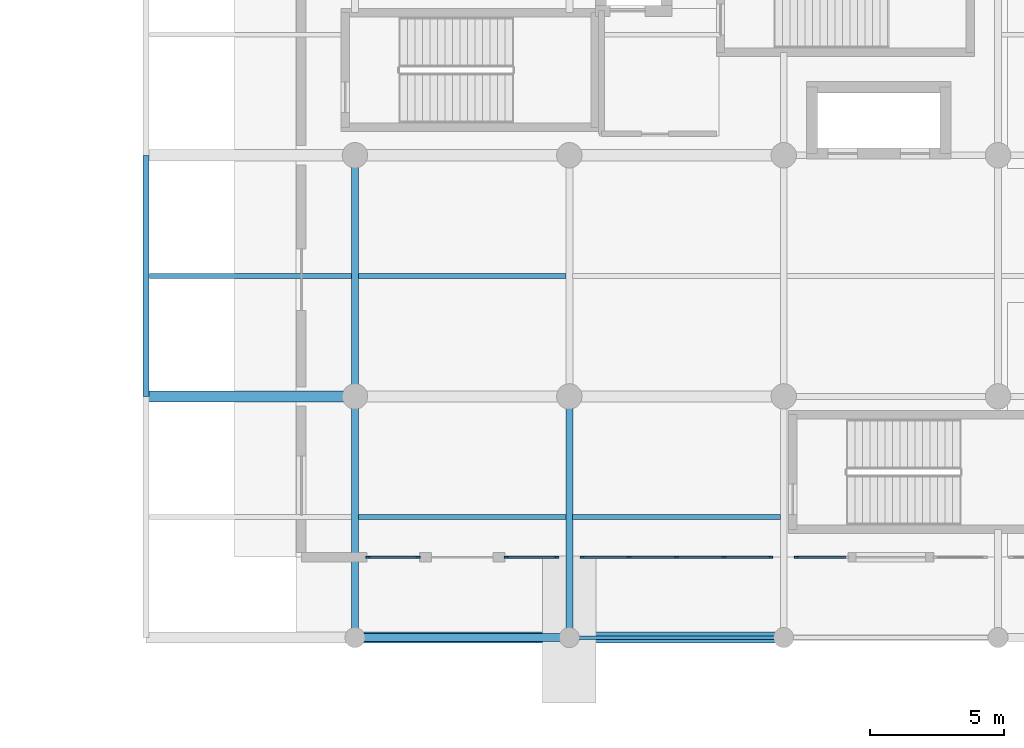
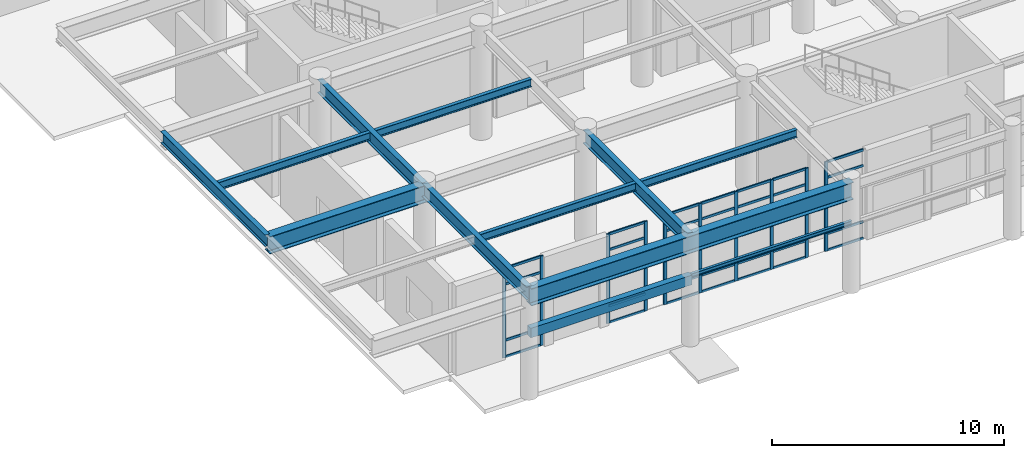
# One storey, part 5 of 49: 38 members, 12 beams, 4 elements without a shape of their own.
"""IFC4 building model written with IfcOpenShell, lengths in metres."""

import ifcopenshell
import ifcopenshell.guid

model = None  # the IFC model being written
_history = None  # IfcOwnerHistory: only IFC2X3 demands one
_inside = {}  # id of a spatial element -> (the spatial element, [elements in it])
_under = {}  # id of a project, library or spatial element -> (it, [spatial elements below it])
_declared = {}  # id of a project -> (the project, [libraries it declares])
_typed = {}  # id of a type object -> (the type object, [elements of that type])
_made_of = {}  # id of a material, layer set ... -> (it, [elements and type objects made of it])


def new_model(schema):
    """Start an empty IFC model of exactly this schema.

    Asked for "IFC4X3", IfcOpenShell would pick the latest addendum, in which some entities
    have other attributes; the version numbers below select the first issue.
    IFC2X3 requires an IfcOwnerHistory on every rooted entity: one is made here for all.
    """
    global model, _history
    if schema == "IFC4X3":
        model = ifcopenshell.file(schema_version=(4, 3, 0, 0))
    else:
        model = ifcopenshell.file(schema=schema)
    _inside.clear()
    _under.clear()
    _declared.clear()
    _typed.clear()
    _made_of.clear()
    _history = None
    if model.schema == "IFC2X3":
        org = make("IfcOrganization", Name="unknown")
        user = make(
            "IfcPersonAndOrganization",
            ThePerson=make("IfcPerson", FamilyName="unknown"),
            TheOrganization=org,
        )
        app = make(
            "IfcApplication",
            ApplicationDeveloper=org,
            Version="unknown",
            ApplicationFullName="unknown",
            ApplicationIdentifier="unknown",
        )
        _history = make(
            "IfcOwnerHistory",
            OwningUser=user,
            OwningApplication=app,
            ChangeAction="ADDED",
            CreationDate=0,
        )
    return model


def make(cls, **values):
    """One entity of the class cls with the attributes given. An attribute that is None is left unset."""
    return model.create_entity(
        cls, **{name: value for name, value in values.items() if value is not None}
    )


def rooted(cls, **values):
    """An entity with a GlobalId (a new one), such as an element, a storey or a relation."""
    return make(cls, GlobalId=ifcopenshell.guid.new(), OwnerHistory=_history, **values)


def si_unit(unit_type, name, prefix=None):
    """IfcSIUnit, for example si_unit("LENGTHUNIT", "METRE", prefix="MILLI")."""
    return make("IfcSIUnit", UnitType=unit_type, Prefix=prefix, Name=name)


def assignment(units):
    """IfcUnitAssignment: the units of a project."""
    return None if units is None else make("IfcUnitAssignment", Units=units)


def point(xyz):
    """IfcCartesianPoint."""
    return None if xyz is None else make("IfcCartesianPoint", Coordinates=xyz)


def direction(xyz):
    """IfcDirection."""
    return None if xyz is None else make("IfcDirection", DirectionRatios=xyz)


def frame(location, z_axis=None, x_axis=None):
    """IfcAxis2Placement3D, a coordinate frame: its origin and axes. An axis left out is left unset."""
    return make(
        "IfcAxis2Placement3D",
        Location=point(location),
        Axis=direction(z_axis),
        RefDirection=direction(x_axis),
    )


def frame_2d(location, x_axis=None):
    """IfcAxis2Placement2D, a coordinate frame in the plane: its origin and x axis."""
    return make(
        "IfcAxis2Placement2D", Location=point(location), RefDirection=direction(x_axis)
    )


def origin():
    """The frame at (0, 0, 0) with its axes left unset."""
    return frame((0.0, 0.0, 0.0))


def origin_2d():
    """The frame at (0, 0) in the plane with its x axis left unset."""
    return frame_2d((0.0, 0.0))


def place(relative_to, where):
    """IfcLocalPlacement: puts the frame where relative to a parent placement (None: the world)."""
    return make(
        "IfcLocalPlacement", PlacementRelTo=relative_to, RelativePlacement=where
    )


def context(
    kind, dimensions, precision=None, world=None, true_north=None, identifier=None
):
    """IfcGeometricRepresentationContext, for example the 3D "Model" context."""
    return make(
        "IfcGeometricRepresentationContext",
        ContextIdentifier=identifier,
        ContextType=kind,
        CoordinateSpaceDimension=dimensions,
        Precision=precision,
        WorldCoordinateSystem=world,
        TrueNorth=true_north,
    )


def subcontext(parent, identifier, kind, view, scale=None):
    """IfcGeometricRepresentationSubContext, for example "Body" below "Model"."""
    return make(
        "IfcGeometricRepresentationSubContext",
        ContextIdentifier=identifier,
        ContextType=kind,
        ParentContext=parent,
        TargetScale=scale,
        TargetView=view,
    )


def project(units=None, contexts=None):
    """IfcProject with its units and contexts."""
    return rooted(
        "IfcProject",
        Name="project",
        RepresentationContexts=contexts,
        UnitsInContext=assignment(units),
    )


def spatial(cls, under=None, at=None, **own):
    """A site, building, storey or space (cls), placed at a placement, below another one or the project."""
    s = rooted(cls, ObjectPlacement=at, **own)
    if under is not None:
        _under.setdefault(under.id(), (under, []))[1].append(s)
    return s


def profile(cls, at=None, kind="AREA", **sizes):
    """A parametric profile (cls). Its sizes go by their IFC names, for example OverallWidth=200.0."""
    return make(cls, ProfileType=kind, Position=at, **sizes)


def rectangle(**sizes):
    """IfcRectangleProfileDef."""
    return profile("IfcRectangleProfileDef", **sizes)


def i_section(**sizes):
    """IfcIShapeProfileDef."""
    return profile("IfcIShapeProfileDef", **sizes)


def extrude(swept, where, along, depth):
    """IfcExtrudedAreaSolid: the profile swept, set in the frame where, extruded along a direction by depth."""
    return make(
        "IfcExtrudedAreaSolid",
        SweptArea=swept,
        Position=where,
        ExtrudedDirection=direction(along),
        Depth=depth,
    )


def shape(context_of_items, identifier, shape_type, items):
    """IfcShapeRepresentation: the items that make up one representation, for example the "Body"."""
    return make(
        "IfcShapeRepresentation",
        ContextOfItems=context_of_items,
        RepresentationIdentifier=identifier,
        RepresentationType=shape_type,
        Items=items,
    )


def material(Name=None, Category=None):
    """IfcMaterial."""
    return make("IfcMaterial", Name=Name, Category=Category)


def layer(
    of_material, thickness, ventilated=None, Name=None, Category=None, Priority=None
):
    """IfcMaterialLayer: one layer of a wall or slab, of a material (None: an air gap)."""
    return make(
        "IfcMaterialLayer",
        Material=of_material,
        LayerThickness=thickness,
        IsVentilated=ventilated,
        Name=Name,
        Category=Category,
        Priority=Priority,
    )


def layer_set(layers, Name=None):
    """IfcMaterialLayerSet."""
    return make("IfcMaterialLayerSet", MaterialLayers=layers, LayerSetName=Name)


def material_profile(
    of_material, cross_section, Name=None, Category=None, Priority=None
):
    """IfcMaterialProfile: a cross section and its material."""
    return make(
        "IfcMaterialProfile",
        Name=Name,
        Material=of_material,
        Profile=cross_section,
        Priority=Priority,
        Category=Category,
    )


def profile_set(profiles, Name=None, composite=None):
    """IfcMaterialProfileSet."""
    return make(
        "IfcMaterialProfileSet",
        Name=Name,
        MaterialProfiles=profiles,
        CompositeProfile=composite,
    )


def made_of(thing, what):
    """Note that an element or type object is made of a material, layer set ...; save() writes the relation."""
    if what is not None:
        _made_of.setdefault(what.id(), (what, []))[1].append(thing)
    return thing


def type_object(cls, material=None, **own):
    """A type object (cls), such as IfcWallType, which elements share."""
    return made_of(rooted(cls, **own), material)


def element(
    cls,
    number,
    at=None,
    inside=None,
    cuts=None,
    type_object=None,
    material=None,
    context=None,
    identifier="Body",
    shape_type=None,
    held_by="IfcProductDefinitionShape",
    body=None,
    shapes=None,
    **own,
):
    """One element of the class cls, such as IfcWall. Its Tag is "e" and its number.

    at: its placement. inside: the storey or other place that contains it. cuts: it is an
    opening in that element (IfcRelVoidsElement). A single representation is given by context,
    identifier, shape_type and body (its items); several are given by shapes. held_by: the class
    of the entity that holds the representations. save() writes the other relations.
    """
    e = rooted(cls, Tag="e%d" % number, ObjectPlacement=at, **own)
    if body is not None:
        shapes = [shape(context, identifier, shape_type, body)]
    if shapes is not None:
        e.Representation = make(held_by, Representations=shapes)
    if inside is not None:
        _inside.setdefault(inside.id(), (inside, []))[1].append(e)
    if cuts is not None:
        rooted(
            "IfcRelVoidsElement", RelatingBuildingElement=cuts, RelatedOpeningElement=e
        )
    if type_object is not None:
        _typed.setdefault(type_object.id(), (type_object, []))[1].append(e)
    return made_of(e, material)


def aggregate(whole, parts):
    """IfcRelAggregates: a whole, such as a stair, and the parts it consists of."""
    return rooted("IfcRelAggregates", RelatingObject=whole, RelatedObjects=parts)


def save(model, path):
    """Write the relations noted so far, then the file.

    IfcRelAggregates (storeys below a building ...), IfcRelContainedInSpatialStructure (elements
    in a storey), IfcRelDefinesByType, IfcRelAssociatesMaterial and IfcRelDeclares: one each for
    every whole, place, type object, material and project.
    """
    for whole, parts in _under.values():
        aggregate(whole, parts)
    for where, things in _inside.values():
        rooted(
            "IfcRelContainedInSpatialStructure",
            RelatedElements=things,
            RelatingStructure=where,
        )
    for kind, things in _typed.values():
        rooted("IfcRelDefinesByType", RelatedObjects=things, RelatingType=kind)
    for what, things in _made_of.values():
        rooted("IfcRelAssociatesMaterial", RelatedObjects=things, RelatingMaterial=what)
    for by, libraries in _declared.values():
        rooted("IfcRelDeclares", RelatingContext=by, RelatedDefinitions=libraries)
    model.write(path)


model = new_model("IFC4")

# Units and contexts
model_context = context("Model", 3, precision=1e-05, world=origin(), true_north=direction((0.0, 1.0)))
body_context = subcontext(model_context, "Body", "Model", "MODEL_VIEW")
ifc_project = project(units=[si_unit("LENGTHUNIT", "METRE"), si_unit("AREAUNIT", "SQUARE_METRE"), si_unit("VOLUMEUNIT", "CUBIC_METRE"), si_unit("PLANEANGLEUNIT", "RADIAN"), si_unit("MASSUNIT", "GRAM", prefix="KILO")], contexts=[model_context])

# Site, building, storey
site_placement = place(None, origin())
site = spatial("IfcSite", under=ifc_project, at=site_placement, CompositionType="ELEMENT")
building_placement = place(site_placement, origin())
building = spatial("IfcBuilding", under=site, at=building_placement, Name="Tlacozan Convention Centre", CompositionType="ELEMENT")
storey_placement = place(building_placement, origin())
storey = spatial("IfcBuildingStorey", under=building, at=storey_placement, Name="L00", CompositionType="ELEMENT", Elevation=0.0)

# Beam
ifc_material_1 = material(Name="Steel ASTM A992 Grade 50", Category="steel")
ifc_material_profile_1 = material_profile(ifc_material_1, i_section(OverallWidth=0.41796875, OverallDepth=0.912109375, WebThickness=0.019287109375, FlangeThickness=0.031982421875, FilletRadius=0.02001953125, at=origin_2d()), Name="IR 914x342.0")
ifc_profile_set_1 = profile_set([ifc_material_profile_1], Name="Steel ASTM A992 Grade 50")
beam_type_1 = type_object("IfcBeamType", Name="Cantilever Girder IR 914x342", PredefinedType="BEAM", material=ifc_profile_set_1)
beam_1_placement = place(storey_placement, frame((8.0, 9.0, 5.263916015625), z_axis=(-1.0, 0.0, 0.0), x_axis=(0.0, -1.0, 0.0)))
element("IfcBeam", 1, at=beam_1_placement, inside=storey, type_object=beam_type_1, Name="L00 Cantilever Girder IR 914x342 179", PredefinedType="BEAM", context=body_context, shape_type="SweptSolid", body=[
    extrude(i_section(OverallWidth=0.41796875, OverallDepth=0.912109375, WebThickness=0.019287109375, FlangeThickness=0.031982421875, FilletRadius=0.02001953125, at=origin_2d()), origin(), (0.0, 0.0, 1.0), 7.800048828125),
])

# Curtain wall, members
ifc_material_2 = material(Name="Dark Bronze Anodised Aluminium", Category="aluminium")
ifc_layer = layer(ifc_material_2, 0.159912109375)
ifc_layer_set = layer_set([ifc_layer], Name="Dark Bronze Anodised Aluminium")
curtain_wall_type = type_object("IfcCurtainWallType", Name="Unitised Concourse Curtain Wall CW01", PredefinedType="NOTDEFINED", material=ifc_layer_set)
curtain_wall_1_placement = place(storey_placement, origin())
curtain_wall_1 = element("IfcCurtainWall", 2, at=curtain_wall_1_placement, inside=storey, type_object=curtain_wall_type, Name="L00 CW-01 Run 30", PredefinedType="NOTDEFINED")
ifc_material_profile_2 = material_profile(ifc_material_2, rectangle(XDim=0.06494140625, YDim=0.159912109375, at=origin_2d()), Name="ALU 65x160")
ifc_profile_set_2 = profile_set([ifc_material_profile_2], Name="Dark Bronze Anodised Aluminium")
member_type_1 = type_object("IfcMemberType", Name="Curtain Wall Mullion 65x160", PredefinedType="MULLION", material=ifc_profile_set_2)
member_1_placement = place(storey_placement, frame((8.482421875, 3.0, 0.0), z_axis=(0.0, 0.0, 1.0), x_axis=(0.0, 1.0, 0.0)))
member_1 = element("IfcMember", 3, at=member_1_placement, type_object=member_type_1, Name="CW-01 mullion 1", PredefinedType="MULLION", context=body_context, shape_type="SweptSolid", body=[
    extrude(rectangle(XDim=0.06494140625, YDim=0.159912109375, at=origin_2d()), origin(), (0.0, 0.0, 1.0), 4.699951171875),
])
member_2_placement = place(storey_placement, frame((10.347412109375, 3.0, 0.0), z_axis=(0.0, 0.0, 1.0), x_axis=(0.0, 1.0, 0.0)))
member_2 = element("IfcMember", 4, at=member_2_placement, type_object=member_type_1, Name="CW-01 mullion 2", PredefinedType="MULLION", context=body_context, shape_type="SweptSolid", body=[
    extrude(rectangle(XDim=0.06494140625, YDim=0.159912109375, at=origin_2d()), origin(), (0.0, 0.0, 1.0), 4.699951171875),
])

curtain_wall_2_placement = place(storey_placement, origin())
curtain_wall_2 = element("IfcCurtainWall", 5, at=curtain_wall_2_placement, inside=storey, type_object=curtain_wall_type, Name="L00 CW-01 Run 31", PredefinedType="NOTDEFINED")
member_3_placement = place(storey_placement, frame((13.652587890625, 3.0, 0.0), z_axis=(0.0, 0.0, 1.0), x_axis=(0.0, 1.0, 0.0)))
member_3 = element("IfcMember", 6, at=member_3_placement, type_object=member_type_1, Name="CW-01 mullion 1", PredefinedType="MULLION", context=body_context, shape_type="SweptSolid", body=[
    extrude(rectangle(XDim=0.06494140625, YDim=0.159912109375, at=origin_2d()), origin(), (0.0, 0.0, 1.0), 4.699951171875),
])
member_4_placement = place(storey_placement, frame((15.517578125, 3.0, 0.0), z_axis=(0.0, 0.0, 1.0), x_axis=(0.0, 1.0, 0.0)))
member_4 = element("IfcMember", 7, at=member_4_placement, type_object=member_type_1, Name="CW-01 mullion 2", PredefinedType="MULLION", context=body_context, shape_type="SweptSolid", body=[
    extrude(rectangle(XDim=0.06494140625, YDim=0.159912109375, at=origin_2d()), origin(), (0.0, 0.0, 1.0), 4.699951171875),
])

curtain_wall_3_placement = place(storey_placement, origin())
curtain_wall_3 = element("IfcCurtainWall", 8, at=curtain_wall_3_placement, inside=storey, type_object=curtain_wall_type, Name="L00 CW-01 Run 32", PredefinedType="NOTDEFINED")
member_5_placement = place(storey_placement, frame((16.482421875, 3.0, 0.0), z_axis=(0.0, 0.0, 1.0), x_axis=(0.0, 1.0, 0.0)))
member_5 = element("IfcMember", 9, at=member_5_placement, type_object=member_type_1, Name="CW-01 mullion 1", PredefinedType="MULLION", context=body_context, shape_type="SweptSolid", body=[
    extrude(rectangle(XDim=0.06494140625, YDim=0.159912109375, at=origin_2d()), origin(), (0.0, 0.0, 1.0), 4.699951171875),
])
member_6_placement = place(storey_placement, frame((18.22509765625, 3.0, 0.0), z_axis=(0.0, 0.0, 1.0), x_axis=(0.0, 1.0, 0.0)))
member_6 = element("IfcMember", 10, at=member_6_placement, type_object=member_type_1, Name="CW-01 mullion 2", PredefinedType="MULLION", context=body_context, shape_type="SweptSolid", body=[
    extrude(rectangle(XDim=0.06494140625, YDim=0.159912109375, at=origin_2d()), origin(), (0.0, 0.0, 1.0), 4.699951171875),
])
member_7_placement = place(storey_placement, frame((20.0, 3.0, 0.0), z_axis=(0.0, 0.0, 1.0), x_axis=(0.0, 1.0, 0.0)))
member_7 = element("IfcMember", 11, at=member_7_placement, type_object=member_type_1, Name="CW-01 mullion 3", PredefinedType="MULLION", context=body_context, shape_type="SweptSolid", body=[
    extrude(rectangle(XDim=0.06494140625, YDim=0.159912109375, at=origin_2d()), origin(), (0.0, 0.0, 1.0), 4.699951171875),
])
member_8_placement = place(storey_placement, frame((21.77490234375, 3.0, 0.0), z_axis=(0.0, 0.0, 1.0), x_axis=(0.0, 1.0, 0.0)))
member_8 = element("IfcMember", 12, at=member_8_placement, type_object=member_type_1, Name="CW-01 mullion 4", PredefinedType="MULLION", context=body_context, shape_type="SweptSolid", body=[
    extrude(rectangle(XDim=0.06494140625, YDim=0.159912109375, at=origin_2d()), origin(), (0.0, 0.0, 1.0), 4.699951171875),
])
member_9_placement = place(storey_placement, frame((23.517578125, 3.0, 0.0), z_axis=(0.0, 0.0, 1.0), x_axis=(0.0, 1.0, 0.0)))
member_9 = element("IfcMember", 13, at=member_9_placement, type_object=member_type_1, Name="CW-01 mullion 5", PredefinedType="MULLION", context=body_context, shape_type="SweptSolid", body=[
    extrude(rectangle(XDim=0.06494140625, YDim=0.159912109375, at=origin_2d()), origin(), (0.0, 0.0, 1.0), 4.699951171875),
])

# Curtain wall, member
curtain_wall_4_placement = place(storey_placement, origin())
curtain_wall_4 = element("IfcCurtainWall", 14, at=curtain_wall_4_placement, inside=storey, type_object=curtain_wall_type, Name="L00 CW-01 Run 33", PredefinedType="NOTDEFINED")
member_10_placement = place(storey_placement, frame((24.482421875, 3.0, 0.0), z_axis=(0.0, 0.0, 1.0), x_axis=(0.0, 1.0, 0.0)))
member_10 = element("IfcMember", 15, at=member_10_placement, type_object=member_type_1, Name="CW-01 mullion 1", PredefinedType="MULLION", context=body_context, shape_type="SweptSolid", body=[
    extrude(rectangle(XDim=0.06494140625, YDim=0.159912109375, at=origin_2d()), origin(), (0.0, 0.0, 1.0), 4.699951171875),
])

# Member
ifc_material_profile_3 = material_profile(ifc_material_2, rectangle(XDim=0.06494140625, YDim=0.125, at=origin_2d()), Name="ALU 65x125")
ifc_profile_set_3 = profile_set([ifc_material_profile_3], Name="Dark Bronze Anodised Aluminium")
member_type_2 = type_object("IfcMemberType", Name="Curtain Wall Transom 65x125", PredefinedType="USERDEFINED", material=ifc_profile_set_3)
member_11_placement = place(storey_placement, frame((8.514892578125, 3.0, 0.032470703125), z_axis=(1.0, 0.0, 0.0), x_axis=(0.0, 1.0, 0.0)))
member_11 = element("IfcMember", 16, at=member_11_placement, type_object=member_type_2, Name="CW-01 transom 1.1", ObjectType="TRANSOM", PredefinedType="USERDEFINED", context=body_context, shape_type="SweptSolid", body=[
    extrude(rectangle(XDim=0.06494140625, YDim=0.125, at=origin_2d()), origin(), (0.0, 0.0, 1.0), 1.800048828125),
])

member_12_placement = place(storey_placement, frame((8.514892578125, 3.0, 0.89990234375), z_axis=(1.0, 0.0, 0.0), x_axis=(0.0, 1.0, 0.0)))
member_12 = element("IfcMember", 17, at=member_12_placement, type_object=member_type_2, Name="CW-01 transom 1.2", ObjectType="TRANSOM", PredefinedType="USERDEFINED", context=body_context, shape_type="SweptSolid", body=[
    extrude(rectangle(XDim=0.06494140625, YDim=0.125, at=origin_2d()), origin(), (0.0, 0.0, 1.0), 1.800048828125),
])

member_13_placement = place(storey_placement, frame((8.514892578125, 3.0, 3.85009765625), z_axis=(1.0, 0.0, 0.0), x_axis=(0.0, 1.0, 0.0)))
member_13 = element("IfcMember", 18, at=member_13_placement, type_object=member_type_2, Name="CW-01 transom 1.3", ObjectType="TRANSOM", PredefinedType="USERDEFINED", context=body_context, shape_type="SweptSolid", body=[
    extrude(rectangle(XDim=0.06494140625, YDim=0.125, at=origin_2d()), origin(), (0.0, 0.0, 1.0), 1.800048828125),
])

member_14_placement = place(storey_placement, frame((8.514892578125, 3.0, 4.66748046875), z_axis=(1.0, 0.0, 0.0), x_axis=(0.0, 1.0, 0.0)))
member_14 = element("IfcMember", 19, at=member_14_placement, type_object=member_type_2, Name="CW-01 transom 1.4", ObjectType="TRANSOM", PredefinedType="USERDEFINED", context=body_context, shape_type="SweptSolid", body=[
    extrude(rectangle(XDim=0.06494140625, YDim=0.125, at=origin_2d()), origin(), (0.0, 0.0, 1.0), 1.800048828125),
])

aggregate(curtain_wall_1, [member_1, member_2, member_11, member_12, member_13, member_14])

member_15_placement = place(storey_placement, frame((13.68505859375, 3.0, 0.032470703125), z_axis=(1.0, 0.0, 0.0), x_axis=(0.0, 1.0, 0.0)))
member_15 = element("IfcMember", 20, at=member_15_placement, type_object=member_type_2, Name="CW-01 transom 1.1", ObjectType="TRANSOM", PredefinedType="USERDEFINED", context=body_context, shape_type="SweptSolid", body=[
    extrude(rectangle(XDim=0.06494140625, YDim=0.125, at=origin_2d()), origin(), (0.0, 0.0, 1.0), 1.800048828125),
])

member_16_placement = place(storey_placement, frame((13.68505859375, 3.0, 0.89990234375), z_axis=(1.0, 0.0, 0.0), x_axis=(0.0, 1.0, 0.0)))
member_16 = element("IfcMember", 21, at=member_16_placement, type_object=member_type_2, Name="CW-01 transom 1.2", ObjectType="TRANSOM", PredefinedType="USERDEFINED", context=body_context, shape_type="SweptSolid", body=[
    extrude(rectangle(XDim=0.06494140625, YDim=0.125, at=origin_2d()), origin(), (0.0, 0.0, 1.0), 1.800048828125),
])

member_17_placement = place(storey_placement, frame((13.68505859375, 3.0, 3.85009765625), z_axis=(1.0, 0.0, 0.0), x_axis=(0.0, 1.0, 0.0)))
member_17 = element("IfcMember", 22, at=member_17_placement, type_object=member_type_2, Name="CW-01 transom 1.3", ObjectType="TRANSOM", PredefinedType="USERDEFINED", context=body_context, shape_type="SweptSolid", body=[
    extrude(rectangle(XDim=0.06494140625, YDim=0.125, at=origin_2d()), origin(), (0.0, 0.0, 1.0), 1.800048828125),
])

member_18_placement = place(storey_placement, frame((13.68505859375, 3.0, 4.66748046875), z_axis=(1.0, 0.0, 0.0), x_axis=(0.0, 1.0, 0.0)))
member_18 = element("IfcMember", 23, at=member_18_placement, type_object=member_type_2, Name="CW-01 transom 1.4", ObjectType="TRANSOM", PredefinedType="USERDEFINED", context=body_context, shape_type="SweptSolid", body=[
    extrude(rectangle(XDim=0.06494140625, YDim=0.125, at=origin_2d()), origin(), (0.0, 0.0, 1.0), 1.800048828125),
])

aggregate(curtain_wall_2, [member_3, member_4, member_15, member_16, member_17, member_18])

member_19_placement = place(storey_placement, frame((16.514892578125, 3.0, 0.032470703125), z_axis=(1.0, 0.0, 0.0), x_axis=(0.0, 1.0, 0.0)))
member_19 = element("IfcMember", 24, at=member_19_placement, type_object=member_type_2, Name="CW-01 transom 1.1", ObjectType="TRANSOM", PredefinedType="USERDEFINED", context=body_context, shape_type="SweptSolid", body=[
    extrude(rectangle(XDim=0.06494140625, YDim=0.125, at=origin_2d()), origin(), (0.0, 0.0, 1.0), 1.677490234375),
])

member_20_placement = place(storey_placement, frame((16.514892578125, 3.0, 0.89990234375), z_axis=(1.0, 0.0, 0.0), x_axis=(0.0, 1.0, 0.0)))
member_20 = element("IfcMember", 25, at=member_20_placement, type_object=member_type_2, Name="CW-01 transom 1.2", ObjectType="TRANSOM", PredefinedType="USERDEFINED", context=body_context, shape_type="SweptSolid", body=[
    extrude(rectangle(XDim=0.06494140625, YDim=0.125, at=origin_2d()), origin(), (0.0, 0.0, 1.0), 1.677490234375),
])

member_21_placement = place(storey_placement, frame((16.514892578125, 3.0, 3.85009765625), z_axis=(1.0, 0.0, 0.0), x_axis=(0.0, 1.0, 0.0)))
member_21 = element("IfcMember", 26, at=member_21_placement, type_object=member_type_2, Name="CW-01 transom 1.3", ObjectType="TRANSOM", PredefinedType="USERDEFINED", context=body_context, shape_type="SweptSolid", body=[
    extrude(rectangle(XDim=0.06494140625, YDim=0.125, at=origin_2d()), origin(), (0.0, 0.0, 1.0), 1.677490234375),
])

member_22_placement = place(storey_placement, frame((16.514892578125, 3.0, 4.66748046875), z_axis=(1.0, 0.0, 0.0), x_axis=(0.0, 1.0, 0.0)))
member_22 = element("IfcMember", 27, at=member_22_placement, type_object=member_type_2, Name="CW-01 transom 1.4", ObjectType="TRANSOM", PredefinedType="USERDEFINED", context=body_context, shape_type="SweptSolid", body=[
    extrude(rectangle(XDim=0.06494140625, YDim=0.125, at=origin_2d()), origin(), (0.0, 0.0, 1.0), 1.677490234375),
])

member_23_placement = place(storey_placement, frame((18.257568359375, 3.0, 0.032470703125), z_axis=(1.0, 0.0, 0.0), x_axis=(0.0, 1.0, 0.0)))
member_23 = element("IfcMember", 28, at=member_23_placement, type_object=member_type_2, Name="CW-01 transom 2.1", ObjectType="TRANSOM", PredefinedType="USERDEFINED", context=body_context, shape_type="SweptSolid", body=[
    extrude(rectangle(XDim=0.06494140625, YDim=0.125, at=origin_2d()), origin(), (0.0, 0.0, 1.0), 1.7099609375),
])

member_24_placement = place(storey_placement, frame((18.257568359375, 3.0, 0.89990234375), z_axis=(1.0, 0.0, 0.0), x_axis=(0.0, 1.0, 0.0)))
member_24 = element("IfcMember", 29, at=member_24_placement, type_object=member_type_2, Name="CW-01 transom 2.2", ObjectType="TRANSOM", PredefinedType="USERDEFINED", context=body_context, shape_type="SweptSolid", body=[
    extrude(rectangle(XDim=0.06494140625, YDim=0.125, at=origin_2d()), origin(), (0.0, 0.0, 1.0), 1.7099609375),
])

member_25_placement = place(storey_placement, frame((18.257568359375, 3.0, 3.85009765625), z_axis=(1.0, 0.0, 0.0), x_axis=(0.0, 1.0, 0.0)))
member_25 = element("IfcMember", 30, at=member_25_placement, type_object=member_type_2, Name="CW-01 transom 2.3", ObjectType="TRANSOM", PredefinedType="USERDEFINED", context=body_context, shape_type="SweptSolid", body=[
    extrude(rectangle(XDim=0.06494140625, YDim=0.125, at=origin_2d()), origin(), (0.0, 0.0, 1.0), 1.7099609375),
])

member_26_placement = place(storey_placement, frame((18.257568359375, 3.0, 4.66748046875), z_axis=(1.0, 0.0, 0.0), x_axis=(0.0, 1.0, 0.0)))
member_26 = element("IfcMember", 31, at=member_26_placement, type_object=member_type_2, Name="CW-01 transom 2.4", ObjectType="TRANSOM", PredefinedType="USERDEFINED", context=body_context, shape_type="SweptSolid", body=[
    extrude(rectangle(XDim=0.06494140625, YDim=0.125, at=origin_2d()), origin(), (0.0, 0.0, 1.0), 1.7099609375),
])

member_27_placement = place(storey_placement, frame((20.032470703125, 3.0, 0.032470703125), z_axis=(1.0, 0.0, 0.0), x_axis=(0.0, 1.0, 0.0)))
member_27 = element("IfcMember", 32, at=member_27_placement, type_object=member_type_2, Name="CW-01 transom 3.1", ObjectType="TRANSOM", PredefinedType="USERDEFINED", context=body_context, shape_type="SweptSolid", body=[
    extrude(rectangle(XDim=0.06494140625, YDim=0.125, at=origin_2d()), origin(), (0.0, 0.0, 1.0), 1.7099609375),
])

member_28_placement = place(storey_placement, frame((20.032470703125, 3.0, 0.89990234375), z_axis=(1.0, 0.0, 0.0), x_axis=(0.0, 1.0, 0.0)))
member_28 = element("IfcMember", 33, at=member_28_placement, type_object=member_type_2, Name="CW-01 transom 3.2", ObjectType="TRANSOM", PredefinedType="USERDEFINED", context=body_context, shape_type="SweptSolid", body=[
    extrude(rectangle(XDim=0.06494140625, YDim=0.125, at=origin_2d()), origin(), (0.0, 0.0, 1.0), 1.7099609375),
])

member_29_placement = place(storey_placement, frame((20.032470703125, 3.0, 3.85009765625), z_axis=(1.0, 0.0, 0.0), x_axis=(0.0, 1.0, 0.0)))
member_29 = element("IfcMember", 34, at=member_29_placement, type_object=member_type_2, Name="CW-01 transom 3.3", ObjectType="TRANSOM", PredefinedType="USERDEFINED", context=body_context, shape_type="SweptSolid", body=[
    extrude(rectangle(XDim=0.06494140625, YDim=0.125, at=origin_2d()), origin(), (0.0, 0.0, 1.0), 1.7099609375),
])

member_30_placement = place(storey_placement, frame((20.032470703125, 3.0, 4.66748046875), z_axis=(1.0, 0.0, 0.0), x_axis=(0.0, 1.0, 0.0)))
member_30 = element("IfcMember", 35, at=member_30_placement, type_object=member_type_2, Name="CW-01 transom 3.4", ObjectType="TRANSOM", PredefinedType="USERDEFINED", context=body_context, shape_type="SweptSolid", body=[
    extrude(rectangle(XDim=0.06494140625, YDim=0.125, at=origin_2d()), origin(), (0.0, 0.0, 1.0), 1.7099609375),
])

member_31_placement = place(storey_placement, frame((21.8076171875, 3.0, 0.032470703125), z_axis=(1.0, 0.0, 0.0), x_axis=(0.0, 1.0, 0.0)))
member_31 = element("IfcMember", 36, at=member_31_placement, type_object=member_type_2, Name="CW-01 transom 4.1", ObjectType="TRANSOM", PredefinedType="USERDEFINED", context=body_context, shape_type="SweptSolid", body=[
    extrude(rectangle(XDim=0.06494140625, YDim=0.125, at=origin_2d()), origin(), (0.0, 0.0, 1.0), 1.677490234375),
])

member_32_placement = place(storey_placement, frame((21.8076171875, 3.0, 0.89990234375), z_axis=(1.0, 0.0, 0.0), x_axis=(0.0, 1.0, 0.0)))
member_32 = element("IfcMember", 37, at=member_32_placement, type_object=member_type_2, Name="CW-01 transom 4.2", ObjectType="TRANSOM", PredefinedType="USERDEFINED", context=body_context, shape_type="SweptSolid", body=[
    extrude(rectangle(XDim=0.06494140625, YDim=0.125, at=origin_2d()), origin(), (0.0, 0.0, 1.0), 1.677490234375),
])

member_33_placement = place(storey_placement, frame((21.8076171875, 3.0, 3.85009765625), z_axis=(1.0, 0.0, 0.0), x_axis=(0.0, 1.0, 0.0)))
member_33 = element("IfcMember", 38, at=member_33_placement, type_object=member_type_2, Name="CW-01 transom 4.3", ObjectType="TRANSOM", PredefinedType="USERDEFINED", context=body_context, shape_type="SweptSolid", body=[
    extrude(rectangle(XDim=0.06494140625, YDim=0.125, at=origin_2d()), origin(), (0.0, 0.0, 1.0), 1.677490234375),
])

member_34_placement = place(storey_placement, frame((21.8076171875, 3.0, 4.66748046875), z_axis=(1.0, 0.0, 0.0), x_axis=(0.0, 1.0, 0.0)))
member_34 = element("IfcMember", 39, at=member_34_placement, type_object=member_type_2, Name="CW-01 transom 4.4", ObjectType="TRANSOM", PredefinedType="USERDEFINED", context=body_context, shape_type="SweptSolid", body=[
    extrude(rectangle(XDim=0.06494140625, YDim=0.125, at=origin_2d()), origin(), (0.0, 0.0, 1.0), 1.677490234375),
])

aggregate(curtain_wall_3, [member_5, member_6, member_7, member_8, member_9, member_19, member_20, member_21, member_22, member_23, member_24, member_25, member_26, member_27, member_28, member_29, member_30, member_31, member_32, member_33, member_34])

member_35_placement = place(storey_placement, frame((24.514892578125, 3.0, 0.032470703125), z_axis=(1.0, 0.0, 0.0), x_axis=(0.0, 1.0, 0.0)))
member_35 = element("IfcMember", 40, at=member_35_placement, type_object=member_type_2, Name="CW-01 transom 1.1", ObjectType="TRANSOM", PredefinedType="USERDEFINED", context=body_context, shape_type="SweptSolid", body=[
    extrude(rectangle(XDim=0.06494140625, YDim=0.125, at=origin_2d()), origin(), (0.0, 0.0, 1.0), 1.800048828125),
])

member_36_placement = place(storey_placement, frame((24.514892578125, 3.0, 0.89990234375), z_axis=(1.0, 0.0, 0.0), x_axis=(0.0, 1.0, 0.0)))
member_36 = element("IfcMember", 41, at=member_36_placement, type_object=member_type_2, Name="CW-01 transom 1.2", ObjectType="TRANSOM", PredefinedType="USERDEFINED", context=body_context, shape_type="SweptSolid", body=[
    extrude(rectangle(XDim=0.06494140625, YDim=0.125, at=origin_2d()), origin(), (0.0, 0.0, 1.0), 1.800048828125),
])

member_37_placement = place(storey_placement, frame((24.514892578125, 3.0, 3.85009765625), z_axis=(1.0, 0.0, 0.0), x_axis=(0.0, 1.0, 0.0)))
member_37 = element("IfcMember", 42, at=member_37_placement, type_object=member_type_2, Name="CW-01 transom 1.3", ObjectType="TRANSOM", PredefinedType="USERDEFINED", context=body_context, shape_type="SweptSolid", body=[
    extrude(rectangle(XDim=0.06494140625, YDim=0.125, at=origin_2d()), origin(), (0.0, 0.0, 1.0), 1.800048828125),
])

member_38_placement = place(storey_placement, frame((24.514892578125, 3.0, 4.66748046875), z_axis=(1.0, 0.0, 0.0), x_axis=(0.0, 1.0, 0.0)))
member_38 = element("IfcMember", 43, at=member_38_placement, type_object=member_type_2, Name="CW-01 transom 1.4", ObjectType="TRANSOM", PredefinedType="USERDEFINED", context=body_context, shape_type="SweptSolid", body=[
    extrude(rectangle(XDim=0.06494140625, YDim=0.125, at=origin_2d()), origin(), (0.0, 0.0, 1.0), 1.800048828125),
])

aggregate(curtain_wall_4, [member_10, member_35, member_36, member_37, member_38])

# Beams
ifc_material_profile_4 = material_profile(ifc_material_1, i_section(OverallWidth=0.256103515625, OverallDepth=0.693115234375, WebThickness=0.014404296875, FlangeThickness=0.023681640625, FilletRadius=0.014892578125, at=origin_2d()), Name="IR 686x170.0")
ifc_profile_set_4 = profile_set([ifc_material_profile_4], Name="Steel ASTM A992 Grade 50")
beam_type_2 = type_object("IfcBeamType", Name="Girder Steel IR 686x170", PredefinedType="BEAM", material=ifc_profile_set_4)
for number, where, z_axis, x_axis, name in (
    (44, (8.0, 0.0, 5.37353515625), (0.0, 1.0, 0.0), (-1.0, 0.0, 0.0), "L00 Girder Steel IR 686x170 126"),
    (45, (8.0, 9.0, 5.37353515625), (0.0, 1.0, 0.0), (-1.0, 0.0, 0.0), "L00 Girder Steel IR 686x170 127"),
    (46, (16.0, 0.0, 5.37353515625), (0.0, 1.0, 0.0), (-1.0, 0.0, 0.0), "L00 Girder Steel IR 686x170 129"),
):
    element("IfcBeam", number, at=place(storey_placement, frame(where, z_axis=z_axis, x_axis=x_axis)), inside=storey, type_object=beam_type_2, Name=name, PredefinedType="BEAM", context=body_context, shape_type="SweptSolid", body=[
        extrude(i_section(OverallWidth=0.256103515625, OverallDepth=0.693115234375, WebThickness=0.014404296875, FlangeThickness=0.023681640625, FilletRadius=0.014892578125, at=origin_2d()), origin(), (0.0, 0.0, 1.0), 9.0),
    ])
ifc_material_profile_5 = material_profile(ifc_material_1, i_section(OverallWidth=0.134033203125, OverallDepth=0.2099609375, WebThickness=0.00634765625, FlangeThickness=0.01025390625, FilletRadius=0.008056640625, at=origin_2d()), Name="IR 203x31.3")
ifc_profile_set_5 = profile_set([ifc_material_profile_5], Name="Steel ASTM A992 Grade 50")
beam_type_3 = type_object("IfcBeamType", Name="Opening Lintel IR 203x31.3", PredefinedType="LINTEL", material=ifc_profile_set_5)
beam_2_placement = place(storey_placement, frame((16.0, 0.0, 3.4951171875), z_axis=(1.0, 0.0, 0.0), x_axis=(0.0, 1.0, 0.0)))
element("IfcBeam", 47, at=beam_2_placement, inside=storey, type_object=beam_type_3, Name="L00 Opening Lintel IR 203x31.3 1724", PredefinedType="LINTEL", context=body_context, shape_type="SweptSolid", body=[
    extrude(i_section(OverallWidth=0.134033203125, OverallDepth=0.2099609375, WebThickness=0.00634765625, FlangeThickness=0.01025390625, FilletRadius=0.008056640625, at=origin_2d()), origin(), (0.0, 0.0, 1.0), 8.0),
])
ifc_material_3 = material(Name="Concrete C40/50", Category="concrete")
ifc_material_profile_6 = material_profile(ifc_material_3, rectangle(XDim=0.300048828125, YDim=0.5, at=origin_2d()), Name="RC 300x500")
ifc_profile_set_6 = profile_set([ifc_material_profile_6], Name="Concrete C40/50")
beam_type_4 = type_object("IfcBeamType", Name="Opening Lintel RC 300x500", PredefinedType="LINTEL", material=ifc_profile_set_6)
beam_3_placement = place(storey_placement, frame((8.0, 0.0, 3.35009765625), z_axis=(1.0, 0.0, 0.0), x_axis=(0.0, 1.0, 0.0)))
element("IfcBeam", 48, at=beam_3_placement, inside=storey, type_object=beam_type_4, Name="L00 Opening Lintel RC 300x500 1723", PredefinedType="LINTEL", context=body_context, shape_type="SweptSolid", body=[
    extrude(rectangle(XDim=0.300048828125, YDim=0.5, at=origin_2d()), origin(), (0.0, 0.0, 1.0), 8.0),
])
ifc_material_profile_7 = material_profile(ifc_material_1, i_section(OverallWidth=0.22900390625, OverallDepth=0.612060546875, WebThickness=0.011962890625, FlangeThickness=0.01953125, FilletRadius=0.012939453125, at=origin_2d()), Name="IR 610x125.0")
ifc_profile_set_7 = profile_set([ifc_material_profile_7], Name="Steel ASTM A992 Grade 50")
beam_type_5 = type_object("IfcBeamType", Name="Perimeter Spandrel IR 610x125", PredefinedType="SPANDREL", material=ifc_profile_set_7)
beam_4_placement = place(storey_placement, frame((0.199951171875, 9.0, 5.4140625), z_axis=(0.0, 1.0, 0.0), x_axis=(-1.0, 0.0, 0.0)))
element("IfcBeam", 49, at=beam_4_placement, inside=storey, type_object=beam_type_5, Name="L00 Perimeter Spandrel IR 610x125 169", PredefinedType="SPANDREL", context=body_context, shape_type="SweptSolid", body=[
    extrude(i_section(OverallWidth=0.22900390625, OverallDepth=0.612060546875, WebThickness=0.011962890625, FlangeThickness=0.01953125, FilletRadius=0.012939453125, at=origin_2d()), origin(), (0.0, 0.0, 1.0), 9.0),
])
ifc_material_profile_8 = material_profile(ifc_material_1, i_section(OverallWidth=0.179931640625, OverallDepth=0.4130859375, WebThickness=0.009765625, FlangeThickness=0.01611328125, FilletRadius=0.010986328125, at=origin_2d()), Name="IR 406x74.4")
ifc_profile_set_8 = profile_set([ifc_material_profile_8], Name="Steel ASTM A992 Grade 50")
beam_type_6 = type_object("IfcBeamType", Name="Secondary Joist IR 406x74.4", PredefinedType="JOIST", material=ifc_profile_set_8)
beam_5_placement = place(storey_placement, frame((0.325927734375, 13.5, 5.513427734375), z_axis=(1.0, 0.0, 0.0), x_axis=(0.0, 1.0, 0.0)))
element("IfcBeam", 50, at=beam_5_placement, inside=storey, type_object=beam_type_6, Name="L00 Secondary Joist IR 406x74.4 227", PredefinedType="JOIST", context=body_context, shape_type="SweptSolid", body=[
    extrude(i_section(OverallWidth=0.179931640625, OverallDepth=0.4130859375, WebThickness=0.009765625, FlangeThickness=0.01611328125, FilletRadius=0.010986328125, at=origin_2d()), origin(), (0.0, 0.0, 1.0), 7.548095703125),
])
for number, where, z_axis, x_axis, name in (
    (51, (8.1259765625, 4.5, 5.513427734375), (1.0, 0.0, 0.0), (0.0, 1.0, 0.0), "L00 Secondary Joist IR 406x74.4 229"),
    (52, (8.1259765625, 13.5, 5.513427734375), (1.0, 0.0, 0.0), (0.0, 1.0, 0.0), "L00 Secondary Joist IR 406x74.4 230"),
    (53, (16.1259765625, 4.5, 5.513427734375), (1.0, 0.0, 0.0), (0.0, 1.0, 0.0), "L00 Secondary Joist IR 406x74.4 231"),
):
    element("IfcBeam", number, at=place(storey_placement, frame(where, z_axis=z_axis, x_axis=x_axis)), inside=storey, type_object=beam_type_6, Name=name, PredefinedType="JOIST", context=body_context, shape_type="SweptSolid", body=[
        extrude(i_section(OverallWidth=0.179931640625, OverallDepth=0.4130859375, WebThickness=0.009765625, FlangeThickness=0.01611328125, FilletRadius=0.010986328125, at=origin_2d()), origin(), (0.0, 0.0, 1.0), 7.748046875),
    ])
ifc_material_profile_9 = material_profile(ifc_material_1, i_section(OverallWidth=0.41796875, OverallDepth=0.912109375, WebThickness=0.019287109375, FlangeThickness=0.031982421875, FilletRadius=0.02001953125, at=origin_2d()), Name="IR 914x342.0")
ifc_profile_set_9 = profile_set([ifc_material_profile_9], Name="Steel ASTM A992 Grade 50")
beam_type_7 = type_object("IfcBeamType", Name="Transfer Girder IR 914x342", PredefinedType="BEAM", material=ifc_profile_set_9)
beam_6_placement = place(storey_placement, frame((24.0, 0.0, 5.263916015625), z_axis=(-1.0, 0.0, 0.0), x_axis=(0.0, -1.0, 0.0)))
element("IfcBeam", 54, at=beam_6_placement, inside=storey, type_object=beam_type_7, Name="L00 Transfer Girder IR 914x342 174", PredefinedType="BEAM", context=body_context, shape_type="SweptSolid", body=[
    extrude(i_section(OverallWidth=0.41796875, OverallDepth=0.912109375, WebThickness=0.019287109375, FlangeThickness=0.031982421875, FilletRadius=0.02001953125, at=origin_2d()), origin(), (0.0, 0.0, 1.0), 16.0),
])

save(model, "model.ifc")
